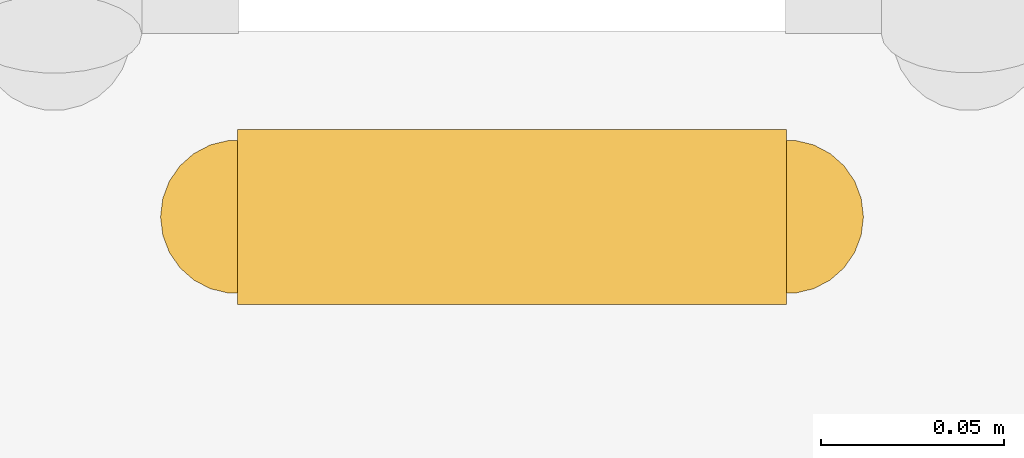
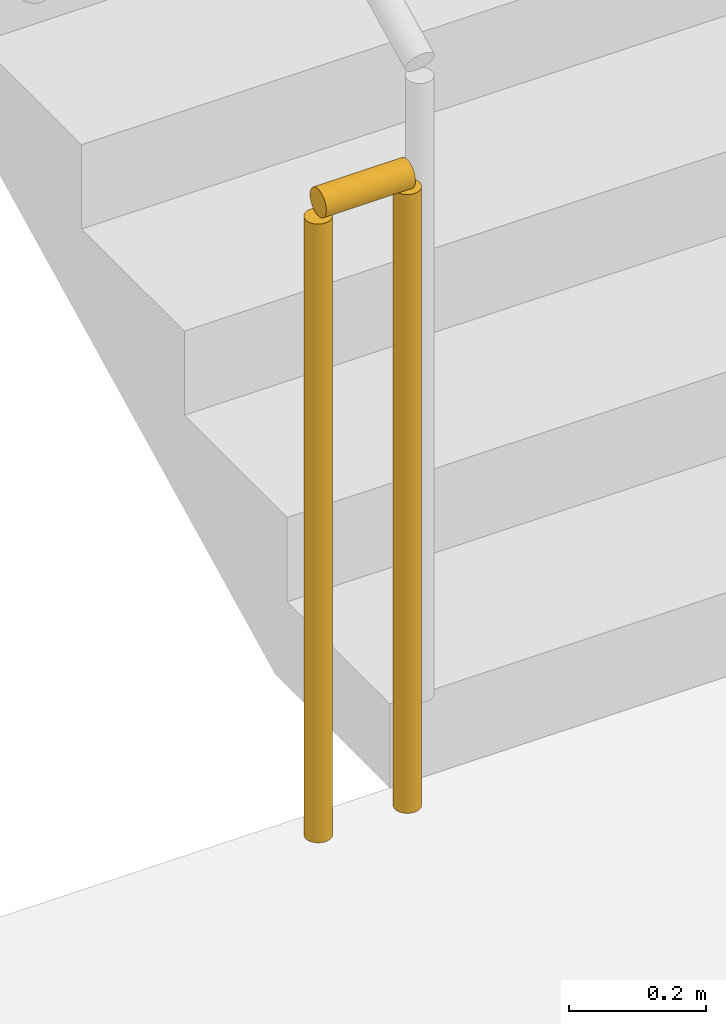
# One storey, part 41 of 45: 1 railing.
"""IFC4 building model written with IfcOpenShell, lengths in metres."""

from ifc_helpers import new_model, si_unit, direction, frame, origin, origin_2d, place, context, subcontext, project, spatial, circle, extrude, material, type_object, element, save


model = new_model("IFC4")

# Units and contexts
model_context = context("Model", 3, precision=1e-05, world=origin(), true_north=direction((0.0, 1.0)))
body_context = subcontext(model_context, "Body", "Model", "MODEL_VIEW")
ifc_project = project(units=[si_unit("LENGTHUNIT", "METRE"), si_unit("AREAUNIT", "SQUARE_METRE"), si_unit("VOLUMEUNIT", "CUBIC_METRE"), si_unit("PLANEANGLEUNIT", "RADIAN"), si_unit("MASSUNIT", "GRAM", prefix="KILO")], contexts=[model_context])

# Site, building, storey
site_placement = place(None, origin())
site = spatial("IfcSite", under=ifc_project, at=site_placement, CompositionType="ELEMENT")
building_placement = place(site_placement, origin())
building = spatial("IfcBuilding", under=site, at=building_placement, Name="Punatoya Terracotta Tower", CompositionType="ELEMENT")
storey_placement = place(building_placement, frame((0.0, 0.0, 339.0)))
storey = spatial("IfcBuildingStorey", under=building, at=storey_placement, Name="L80", CompositionType="ELEMENT", Elevation=339.0)

# Railing
ifc_material = material(Name="Steel S355", Category="steel")
railing_type = type_object("IfcRailingType", Name="RLG-GRD-1150", PredefinedType="GUARDRAIL", material=ifc_material)
railing_placement = place(storey_placement, frame((-7.89990234375, -3.85009765625, 0.0)))
element("IfcRailing", 1, at=railing_placement, inside=storey, type_object=railing_type, Name="L80 ST-1 stair guard 4", PredefinedType="GUARDRAIL", context=body_context, shape_type="SweptSolid", body=[
    extrude(circle(Radius=0.02392578125, at=origin_2d()), frame((0.0, 0.0, 1.1259765625), z_axis=(-1.0, 0.0, 0.0), x_axis=(0.0, -1.0, 0.0)), (0.0, 0.0, 1.0), 0.150146484375),
    extrude(circle(Radius=0.02099609375, at=origin_2d()), origin(), (0.0, 0.0, 1.0), 1.101806640625),
    extrude(circle(Radius=0.02099609375, at=origin_2d()), frame((-0.150146484375, 0.0, 0.0)), (0.0, 0.0, 1.0), 1.101806640625),
])

save(model, "model.ifc")
